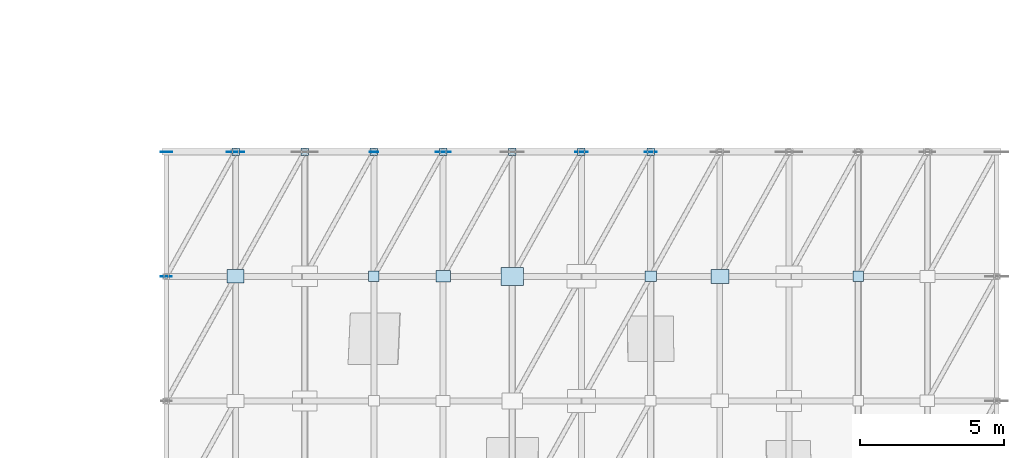
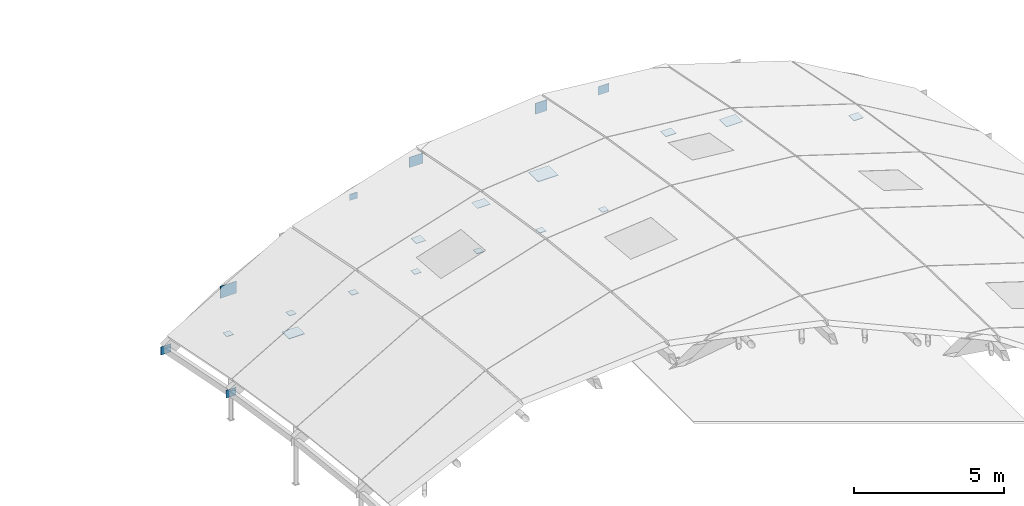
# One storey, part 31 of 35: 21 plates.
"""IFC4 building model written with IfcOpenShell, lengths in metres."""

from ifc_helpers import new_model, si_unit, direction, frame, origin, origin_2d, place, context, subcontext, project, spatial, rectangle, extrude, material, layer, layer_set, type_object, element, save


model = new_model("IFC4")

# Units and contexts
model_context = context("Model", 3, precision=1e-05, world=origin(), true_north=direction((0.0, 1.0)))
body_context = subcontext(model_context, "Body", "Model", "MODEL_VIEW")
ifc_project = project(units=[si_unit("LENGTHUNIT", "METRE"), si_unit("AREAUNIT", "SQUARE_METRE"), si_unit("VOLUMEUNIT", "CUBIC_METRE"), si_unit("PLANEANGLEUNIT", "RADIAN"), si_unit("MASSUNIT", "GRAM", prefix="KILO")], contexts=[model_context])

# Site, building, storey
site_placement = place(None, origin())
site = spatial("IfcSite", under=ifc_project, at=site_placement, CompositionType="ELEMENT")
building_placement = place(site_placement, origin())
building = spatial("IfcBuilding", under=site, at=building_placement, Name="Zarrinpeak Specialist Clinic", CompositionType="ELEMENT")
storey_placement = place(building_placement, frame((0.0, 0.0, 31.60009765625)))
storey = spatial("IfcBuildingStorey", under=building, at=storey_placement, Name="RF", CompositionType="ELEMENT", Elevation=31.60009765625)

# Plates
ifc_material = material(Name="Steel S355", Category="steel")
ifc_layer_1 = layer(ifc_material, 0.01611328125)
ifc_layer_set_1 = layer_set([ifc_layer_1], Name="Steel S355")
plate_type_1 = type_object("IfcPlateType", Name="PL-CAP219", PredefinedType="SHEET", material=ifc_layer_set_1)
for number, where, z_axis, x_axis, name in (
    (1, (96.0, 72.0, -17.813232421875), (0.0, 0.0, 1.0), (1.0, 0.0, 0.0), "V3 Gridshell Post Base Cap Plate PCAP-002"),
    (2, (98.39990234375, 72.0, -17.813232421875), (0.0, 0.0, 1.0), (1.0, 0.0, 0.0), "V3 Gridshell Post Base Cap Plate PCAP-004"),
    (3, (100.800048828125, 72.0, -17.813232421875), (0.0, 0.0, 1.0), (1.0, 0.0, 0.0), "V3 Gridshell Post Base Cap Plate PCAP-006"),
    (4, (103.199951171875, 72.0, -17.813232421875), (0.0, 0.0, 1.0), (1.0, 0.0, 0.0), "V3 Gridshell Post Base Cap Plate PCAP-008"),
    (5, (105.60009765625, 72.0, -17.813232421875), (0.0, 0.0, 1.0), (1.0, 0.0, 0.0), "V3 Gridshell Post Base Cap Plate PCAP-010"),
    (6, (108.0, 72.0, -17.813232421875), (0.0, 0.0, 1.0), (1.0, 0.0, 0.0), "V3 Gridshell Post Base Cap Plate PCAP-012"),
    (7, (110.39990234375, 72.0, -17.813232421875), (0.0, 0.0, 1.0), (1.0, 0.0, 0.0), "V3 Gridshell Post Base Cap Plate PCAP-014"),
):
    element("IfcPlate", number, at=place(storey_placement, frame(where, z_axis=z_axis, x_axis=x_axis)), inside=storey, type_object=plate_type_1, Name=name, PredefinedType="SHEET", context=body_context, shape_type="SweptSolid", body=[
        extrude(rectangle(XDim=0.260009765625, YDim=0.260009765625, at=origin_2d()), origin(), (0.0, 0.0, 1.0), 0.01611328125),
    ])
ifc_layer_2 = layer(ifc_material, 0.02392578125)
ifc_layer_set_2 = layer_set([ifc_layer_2], Name="Steel S355")
plate_type_2 = type_object("IfcPlateType", Name="PL-GSN01", PredefinedType="SHEET", material=ifc_layer_set_2)
plate_1_placement = place(storey_placement, frame((108.0, 72.0, -13.02001953125), z_axis=(0.0, 0.0, 1.0), x_axis=(1.0, 0.0, 0.0)))
element("IfcPlate", 8, at=plate_1_placement, inside=storey, type_object=plate_type_2, Name="V3 Gridshell Hub Node Plate GSN-I06-J10", PredefinedType="SHEET", context=body_context, shape_type="SweptSolid", body=[
    extrude(rectangle(XDim=0.43994140625, YDim=0.02392578125, at=origin_2d()), origin(), (0.0, 0.0, 1.0), 0.43994140625),
])
ifc_layer_3 = layer(ifc_material, 0.01611328125)
ifc_layer_set_3 = layer_set([ifc_layer_3], Name="Steel S355")
plate_type_3 = type_object("IfcPlateType", Name="PL-ND01", PredefinedType="SHEET", material=ifc_layer_set_3)
plate_2_placement = place(storey_placement, frame((100.800048828125, 67.679931640625, -13.049560546875), z_axis=(0.0, 0.0, 1.0), x_axis=(1.0, 0.0, 0.0)))
element("IfcPlate", 9, at=plate_2_placement, inside=storey, type_object=plate_type_3, Name="V3 Gridshell Hub Node Plate GSN-I03-J09", PredefinedType="SHEET", context=body_context, shape_type="SweptSolid", body=[
    extrude(rectangle(XDim=0.360107421875, YDim=0.360107421875, at=origin_2d()), origin(), (0.0, 0.0, 1.0), 0.01611328125),
])
ifc_layer_4 = layer(ifc_material, 0.01806640625)
ifc_layer_set_4 = layer_set([ifc_layer_4], Name="Steel S355")
plate_type_4 = type_object("IfcPlateType", Name="PL-ND02", PredefinedType="SHEET", material=ifc_layer_set_4)
plate_3_placement = place(storey_placement, frame((100.800048828125, 72.0, -14.030517578125), z_axis=(0.0, 0.0, 1.0), x_axis=(1.0, 0.0, 0.0)))
element("IfcPlate", 10, at=plate_3_placement, inside=storey, type_object=plate_type_4, Name="V3 Gridshell Hub Node Plate GSN-I03-J10", PredefinedType="SHEET", context=body_context, shape_type="SweptSolid", body=[
    extrude(rectangle(XDim=0.300048828125, YDim=0.01806640625, at=origin_2d()), origin(), (0.0, 0.0, 1.0), 0.25),
])
plate_4_placement = place(storey_placement, frame((117.60009765625, 67.679931640625, -13.94873046875), z_axis=(0.0, 0.0, 1.0), x_axis=(1.0, 0.0, 0.0)))
element("IfcPlate", 11, at=plate_4_placement, inside=storey, type_object=plate_type_4, Name="V3 Gridshell Hub Node Plate GSN-I10-J09", PredefinedType="SHEET", context=body_context, shape_type="SweptSolid", body=[
    extrude(rectangle(XDim=0.360107421875, YDim=0.360107421875, at=origin_2d()), origin(), (0.0, 0.0, 1.0), 0.01806640625),
])
ifc_layer_5 = layer(ifc_material, 0.013916015625)
ifc_layer_set_5 = layer_set([ifc_layer_5], Name="Steel S355")
plate_type_5 = type_object("IfcPlateType", Name="PL-ND06", PredefinedType="SHEET", material=ifc_layer_set_5)
plate_5_placement = place(storey_placement, frame((93.60009765625, 67.679931640625, -16.89111328125), z_axis=(0.0, 0.0, 1.0), x_axis=(1.0, 0.0, 0.0)))
element("IfcPlate", 12, at=plate_5_placement, inside=storey, type_object=plate_type_5, Name="V3 Gridshell Hub Node Plate GSN-I00-J09", PredefinedType="SHEET", context=body_context, shape_type="SweptSolid", body=[
    extrude(rectangle(XDim=0.3798828125, YDim=0.013916015625, at=origin_2d()), origin(), (0.0, 0.0, 1.0), 0.31005859375),
])
ifc_layer_6 = layer(ifc_material, 0.01611328125)
ifc_layer_set_6 = layer_set([ifc_layer_6], Name="Steel S355")
plate_type_6 = type_object("IfcPlateType", Name="PL-ND07", PredefinedType="SHEET", material=ifc_layer_set_6)
plate_6_placement = place(storey_placement, frame((93.60009765625, 72.0, -17.76513671875), z_axis=(0.0, 0.0, 1.0), x_axis=(1.0, 0.0, 0.0)))
element("IfcPlate", 13, at=plate_6_placement, inside=storey, type_object=plate_type_6, Name="V3 Gridshell Hub Node Plate GSN-I00-J10", PredefinedType="SHEET", context=body_context, shape_type="SweptSolid", body=[
    extrude(rectangle(XDim=0.39990234375, YDim=0.01611328125, at=origin_2d()), origin(), (0.0, 0.0, 1.0), 0.330078125),
])
plate_7_placement = place(storey_placement, frame((110.39990234375, 67.679931640625, -12.064453125), z_axis=(0.0, 0.0, 1.0), x_axis=(1.0, 0.0, 0.0)))
element("IfcPlate", 14, at=plate_7_placement, inside=storey, type_object=plate_type_6, Name="V3 Gridshell Hub Node Plate GSN-I07-J09", PredefinedType="SHEET", context=body_context, shape_type="SweptSolid", body=[
    extrude(rectangle(XDim=0.39990234375, YDim=0.360107421875, at=origin_2d()), origin(), (0.0, 0.0, 1.0), 0.01611328125),
])
ifc_layer_7 = layer(ifc_material, 0.01806640625)
ifc_layer_set_7 = layer_set([ifc_layer_7], Name="Steel S355")
plate_type_7 = type_object("IfcPlateType", Name="PL-ND08", PredefinedType="SHEET", material=ifc_layer_set_7)
plate_8_placement = place(storey_placement, frame((110.39990234375, 72.0, -13.09033203125), z_axis=(0.0, 0.0, 1.0), x_axis=(1.0, 0.0, 0.0)))
element("IfcPlate", 15, at=plate_8_placement, inside=storey, type_object=plate_type_7, Name="V3 Gridshell Hub Node Plate GSN-I07-J10", PredefinedType="SHEET", context=body_context, shape_type="SweptSolid", body=[
    extrude(rectangle(XDim=0.419921875, YDim=0.01806640625, at=origin_2d()), origin(), (0.0, 0.0, 1.0), 0.340087890625),
])
ifc_layer_8 = layer(ifc_material, 0.013916015625)
ifc_layer_set_8 = layer_set([ifc_layer_8], Name="Steel S355")
plate_type_8 = type_object("IfcPlateType", Name="PL-ND12", PredefinedType="SHEET", material=ifc_layer_set_8)
plate_9_placement = place(storey_placement, frame((103.199951171875, 67.679931640625, -12.427734375), z_axis=(0.0, 0.0, 1.0), x_axis=(1.0, 0.0, 0.0)))
element("IfcPlate", 16, at=plate_9_placement, inside=storey, type_object=plate_type_8, Name="V3 Gridshell Hub Node Plate GSN-I04-J09", PredefinedType="SHEET", context=body_context, shape_type="SweptSolid", body=[
    extrude(rectangle(XDim=0.5, YDim=0.39990234375, at=origin_2d()), origin(), (0.0, 0.0, 1.0), 0.013916015625),
])
ifc_layer_9 = layer(ifc_material, 0.01611328125)
ifc_layer_set_9 = layer_set([ifc_layer_9], Name="Steel S355")
plate_type_9 = type_object("IfcPlateType", Name="PL-ND13", PredefinedType="SHEET", material=ifc_layer_set_9)
plate_10_placement = place(storey_placement, frame((103.199951171875, 72.0, -13.494873046875), z_axis=(0.0, 0.0, 1.0), x_axis=(1.0, 0.0, 0.0)))
element("IfcPlate", 17, at=plate_10_placement, inside=storey, type_object=plate_type_9, Name="V3 Gridshell Hub Node Plate GSN-I04-J10", PredefinedType="SHEET", context=body_context, shape_type="SweptSolid", body=[
    extrude(rectangle(XDim=0.52001953125, YDim=0.01611328125, at=origin_2d()), origin(), (0.0, 0.0, 1.0), 0.419921875),
])
ifc_layer_10 = layer(ifc_material, 0.02392578125)
ifc_layer_set_10 = layer_set([ifc_layer_10], Name="Steel S355")
plate_type_10 = type_object("IfcPlateType", Name="PL-ND17", PredefinedType="SHEET", material=ifc_layer_set_10)
plate_11_placement = place(storey_placement, frame((96.0, 67.679931640625, -15.16357421875), z_axis=(0.0, 0.0, 1.0), x_axis=(1.0, 0.0, 0.0)))
element("IfcPlate", 18, at=plate_11_placement, inside=storey, type_object=plate_type_10, Name="V3 Gridshell Hub Node Plate GSN-I01-J09", PredefinedType="SHEET", context=body_context, shape_type="SweptSolid", body=[
    extrude(rectangle(XDim=0.60009765625, YDim=0.469970703125, at=origin_2d()), origin(), (0.0, 0.0, 1.0), 0.02392578125),
])
ifc_layer_11 = layer(ifc_material, 0.013916015625)
ifc_layer_set_11 = layer_set([ifc_layer_11], Name="Steel S355")
plate_type_11 = type_object("IfcPlateType", Name="PL-ND18", PredefinedType="SHEET", material=ifc_layer_set_11)
plate_12_placement = place(storey_placement, frame((96.0, 72.0, -16.26025390625), z_axis=(0.0, 0.0, 1.0), x_axis=(1.0, 0.0, 0.0)))
element("IfcPlate", 19, at=plate_12_placement, inside=storey, type_object=plate_type_11, Name="V3 Gridshell Hub Node Plate GSN-I01-J10", PredefinedType="SHEET", context=body_context, shape_type="SweptSolid", body=[
    extrude(rectangle(XDim=0.6201171875, YDim=0.013916015625, at=origin_2d()), origin(), (0.0, 0.0, 1.0), 0.489990234375),
])
plate_13_placement = place(storey_placement, frame((112.800048828125, 67.679931640625, -12.427734375), z_axis=(0.0, 0.0, 1.0), x_axis=(1.0, 0.0, 0.0)))
element("IfcPlate", 20, at=plate_13_placement, inside=storey, type_object=plate_type_11, Name="V3 Gridshell Hub Node Plate GSN-I08-J09", PredefinedType="SHEET", context=body_context, shape_type="SweptSolid", body=[
    extrude(rectangle(XDim=0.6201171875, YDim=0.489990234375, at=origin_2d()), origin(), (0.0, 0.0, 1.0), 0.013916015625),
])
ifc_layer_12 = layer(ifc_material, 0.02099609375)
ifc_layer_set_12 = layer_set([ifc_layer_12], Name="Steel S355")
plate_type_12 = type_object("IfcPlateType", Name="PL-ND23", PredefinedType="SHEET", material=ifc_layer_set_12)
plate_14_placement = place(storey_placement, frame((105.60009765625, 67.679931640625, -12.06689453125), z_axis=(0.0, 0.0, 1.0), x_axis=(1.0, 0.0, 0.0)))
element("IfcPlate", 21, at=plate_14_placement, inside=storey, type_object=plate_type_12, Name="V3 Gridshell Hub Node Plate GSN-I05-J09", PredefinedType="SHEET", context=body_context, shape_type="SweptSolid", body=[
    extrude(rectangle(XDim=0.77294921875, YDim=0.631103515625, at=origin_2d()), origin(), (0.0, 0.0, 1.0), 0.02099609375),
])

save(model, "model.ifc")
